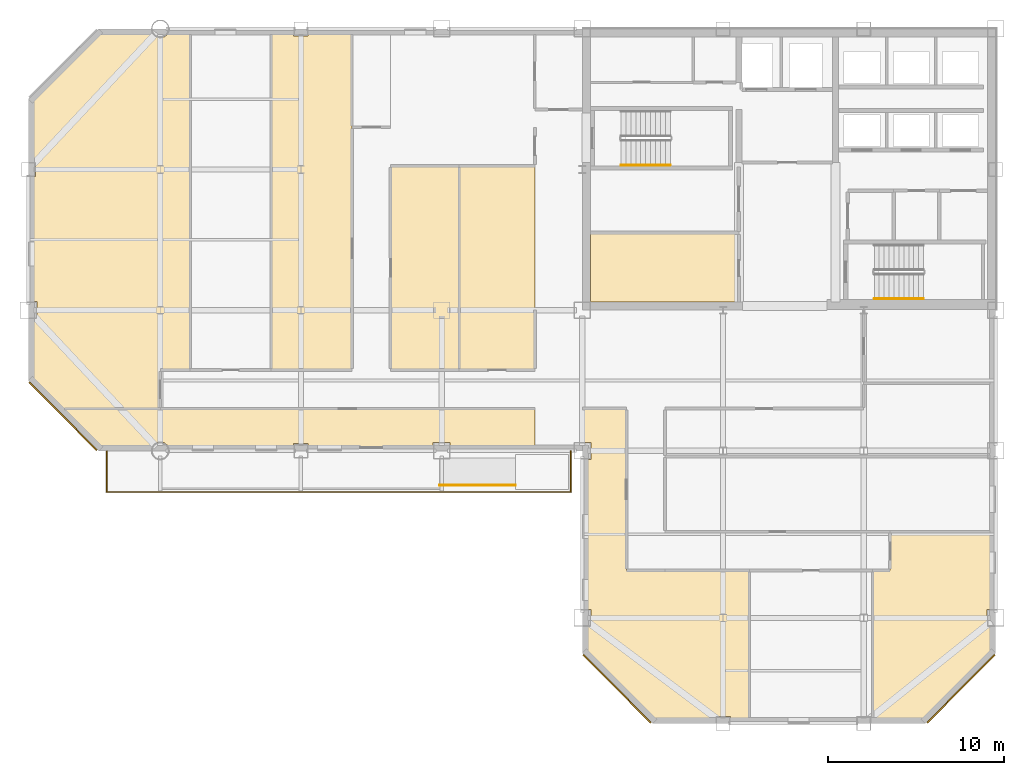
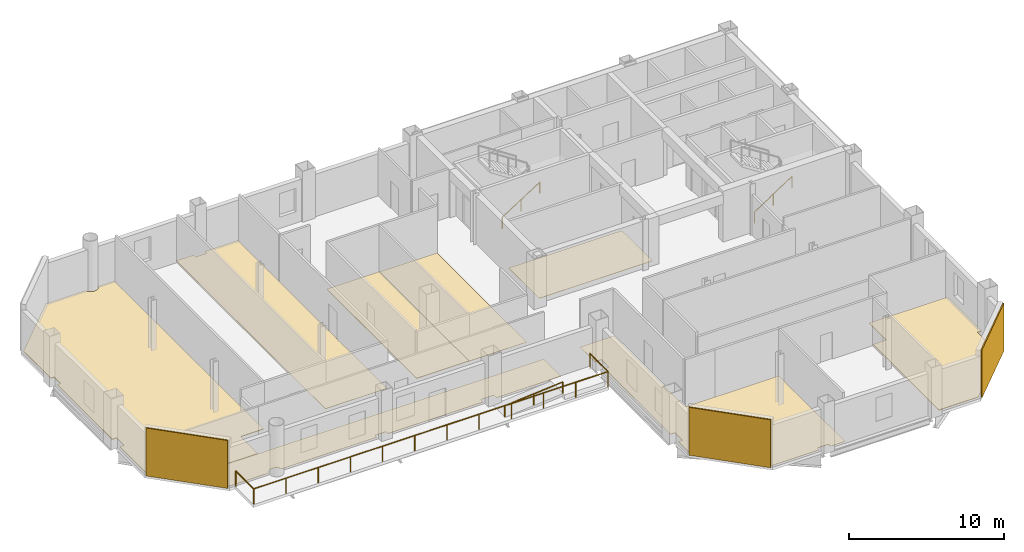
# One storey, part 8 of 11: 11 coverings, 4 railings.
"""IFC4 building model written with IfcOpenShell, lengths in metres."""

from ifc_helpers import new_model, si_unit, direction, frame, origin, origin_2d, place, context, subcontext, project, spatial, polyline, rectangle, circle, outline, extrude, material, layer, layer_set, type_object, element, save


model = new_model("IFC4")

# Units and contexts
model_context = context("Model", 3, precision=1e-05, world=origin(), true_north=direction((0.0, 1.0)))
body_context = subcontext(model_context, "Body", "Model", "MODEL_VIEW")
ifc_project = project(units=[si_unit("LENGTHUNIT", "METRE"), si_unit("AREAUNIT", "SQUARE_METRE"), si_unit("VOLUMEUNIT", "CUBIC_METRE"), si_unit("PLANEANGLEUNIT", "RADIAN"), si_unit("MASSUNIT", "GRAM", prefix="KILO")], contexts=[model_context])

# Site, building, storey
site_placement = place(None, origin())
site = spatial("IfcSite", under=ifc_project, at=site_placement, CompositionType="ELEMENT")
building_placement = place(site_placement, origin())
building = spatial("IfcBuilding", under=site, at=building_placement, Name="Qianrong Seaharbour Tower", CompositionType="ELEMENT")
storey_placement = place(building_placement, frame((0.0, 0.0, 273.800048828125)))
storey = spatial("IfcBuildingStorey", under=building, at=storey_placement, Name="L66", CompositionType="ELEMENT", Elevation=273.800048828125)

# Coverings
ifc_material_1 = material(Name="Unitised red brick cladding on Precast concrete C45/55", Category="masonry")
ifc_layer_1 = layer(ifc_material_1, 0.080078125)
ifc_layer_set_1 = layer_set([ifc_layer_1], Name="Unitised red brick cladding on Precast concrete C45/55")
covering_type_1 = type_object("IfcCoveringType", Name="COV-CLAD-RED-BRICK-80", PredefinedType="CLADDING", material=ifc_layer_set_1)
for number, where, z_axis, x_axis, name in (
    (1, (10.9716796875, 29.9716796875, 0.0), (0.0, 0.0, 1.0), (-0.707106781187, 0.707106781187, 0.0), "L66 Chamfer Corner Brick Cladding 02"),
    (2, (62.0283203125, 14.4716796875, 0.0), (0.0, 0.0, 1.0), (-0.707106781187, -0.707106781187, 0.0), "L66 Chamfer Corner Brick Cladding 07"),
    (3, (42.4716796875, 14.4716796875, 0.0), (0.0, 0.0, 1.0), (-0.707106781187, 0.707106781187, 0.0), "L66 Chamfer Corner Brick Cladding 09"),
):
    element("IfcCovering", number, at=place(storey_placement, frame(where, z_axis=z_axis, x_axis=x_axis)), inside=storey, type_object=covering_type_1, Name=name, PredefinedType="CLADDING", context=body_context, shape_type="SweptSolid", body=[
        extrude(rectangle(XDim=5.456787109375, YDim=0.080078125, at=origin_2d()), origin(), (0.0, 0.0, 1.0), 3.77490234375),
    ])
ifc_material_2 = material(Name="Acoustic modular carpet tile flooring")
ifc_layer_2 = layer(ifc_material_2, 0.02001953125)
ifc_layer_set_2 = layer_set([ifc_layer_2], Name="Acoustic modular carpet tile flooring")
covering_type_2 = type_object("IfcCoveringType", Name="COV-FLOOR-CARPET-20", PredefinedType="FLOORING", material=ifc_layer_set_2)
covering_1_placement = place(storey_placement, origin())
element("IfcCovering", 4, at=covering_1_placement, inside=storey, type_object=covering_type_2, Name="L66 Corporate Archive Room Finish Flooring", PredefinedType="FLOORING", context=body_context, shape_type="SweptSolid", body=[
    extrude(outline(polyline([(49.39990234375, 40.39990234375), (49.39990234375, 36.4599609375), (40.985107421875, 36.4599609375), (40.985107421875, 36.485107421875), (40.9599609375, 36.485107421875), (40.9599609375, 40.39990234375), (49.39990234375, 40.39990234375)])), origin(), (0.0, 0.0, 1.0), 0.02001953125),
])
covering_2_placement = place(storey_placement, origin())
element("IfcCovering", 5, at=covering_2_placement, inside=storey, type_object=covering_type_2, Name="L66 Boardroom 2 Finish Flooring", PredefinedType="FLOORING", context=body_context, shape_type="SweptSolid", body=[
    extrude(outline(polyline([(24.090087890625, 51.8349609375), (24.090087890625, 51.590087890625), (24.909912109375, 51.590087890625), (24.909912109375, 51.8349609375), (27.39990234375, 51.8349609375), (27.39990234375, 32.60009765625), (22.800048828125, 32.60009765625), (22.800048828125, 51.8349609375), (24.090087890625, 51.8349609375)])), origin(), (0.0, 0.0, 1.0), 0.02001953125),
])
covering_3_placement = place(storey_placement, origin())
element("IfcCovering", 6, at=covering_3_placement, inside=storey, type_object=covering_type_2, Name="L66 Focus Room 3 Finish Flooring", PredefinedType="FLOORING", context=body_context, shape_type="SweptSolid", body=[
    extrude(outline(polyline([(33.5, 44.199951171875), (37.800048828125, 44.199951171875), (37.800048828125, 32.60009765625), (33.5, 32.60009765625), (33.5, 44.199951171875)])), origin(), (0.0, 0.0, 1.0), 0.02001953125),
])
covering_4_placement = place(storey_placement, origin())
element("IfcCovering", 7, at=covering_4_placement, inside=storey, type_object=covering_type_2, Name="L66 Wet Pantry Finish Flooring", PredefinedType="FLOORING", context=body_context, shape_type="SweptSolid", body=[
    extrude(outline(polyline([(32.985107421875, 28.1650390625), (32.985107421875, 28.485107421875), (32.014892578125, 28.485107421875), (32.014892578125, 28.1650390625), (24.909912109375, 28.1650390625), (24.909912109375, 28.409912109375), (24.090087890625, 28.409912109375), (24.090087890625, 28.1650390625), (16.980224609375, 28.1650390625), (16.97119140625, 28.1953125), (16.924072265625, 28.283203125), (16.860595703125, 28.360595703125), (16.783203125, 28.424072265625), (16.6953125, 28.47119140625), (16.599609375, 28.500244140625), (16.5, 28.510009765625), (16.400390625, 28.500244140625), (16.3046875, 28.47119140625), (16.216796875, 28.424072265625), (16.139404296875, 28.360595703125), (16.075927734375, 28.283203125), (16.02880859375, 28.1953125), (16.019775390625, 28.1650390625), (13.068359375, 28.1650390625), (10.833251953125, 30.39990234375), (37.800048828125, 30.39990234375), (37.800048828125, 28.1650390625), (32.985107421875, 28.1650390625)])), origin(), (0.0, 0.0, 1.0), 0.02001953125),
])
covering_5_placement = place(storey_placement, origin())
element("IfcCovering", 8, at=covering_5_placement, inside=storey, type_object=covering_type_2, Name="L66 Mediation Meeting Room 1 Finish Flooring", PredefinedType="FLOORING", context=body_context, shape_type="SweptSolid", body=[
    extrude(outline(polyline([(43.0, 21.199951171875), (50.0, 21.199951171875), (50.0, 12.6650390625), (48.909912109375, 12.6650390625), (48.909912109375, 12.909912109375), (48.090087890625, 12.909912109375), (48.090087890625, 12.6650390625), (44.568359375, 12.6650390625), (40.6650390625, 16.568359375), (40.6650390625, 18.014892578125), (40.985107421875, 18.014892578125), (40.985107421875, 18.985107421875), (40.6650390625, 18.985107421875), (40.6650390625, 27.514892578125), (40.985107421875, 27.514892578125), (40.985107421875, 28.485107421875), (40.5, 28.485107421875), (40.5, 30.39990234375), (43.0, 30.39990234375), (43.0, 21.199951171875)])), origin(), (0.0, 0.0, 1.0), 0.02001953125),
])
ifc_material_3 = material(Name="Calcium-sulphate raised access floor tile")
ifc_layer_3 = layer(ifc_material_3, 0.044921875)
ifc_layer_set_3 = layer_set([ifc_layer_3], Name="Calcium-sulphate raised access floor tile")
covering_type_3 = type_object("IfcCoveringType", Name="COV-FLOOR-RAISED-45", PredefinedType="FLOORING", material=ifc_layer_set_3)
covering_6_placement = place(storey_placement, origin())
element("IfcCovering", 9, at=covering_6_placement, inside=storey, type_object=covering_type_3, Name="L66 Legal Support Open-Plan Office Finish Flooring", PredefinedType="FLOORING", context=body_context, shape_type="SweptSolid", body=[
    extrude(outline(polyline([(9.1650390625, 32.068359375), (9.1650390625, 35.514892578125), (9.485107421875, 35.514892578125), (9.485107421875, 36.485107421875), (9.1650390625, 36.485107421875), (9.1650390625, 43.590087890625), (9.409912109375, 43.590087890625), (9.409912109375, 44.409912109375), (9.1650390625, 44.409912109375), (9.1650390625, 47.931640625), (13.068359375, 51.8349609375), (16.019775390625, 51.8349609375), (16.02880859375, 51.8046875), (16.075927734375, 51.716796875), (16.139404296875, 51.639404296875), (16.216796875, 51.575927734375), (16.3046875, 51.52880859375), (16.400390625, 51.499755859375), (16.5, 51.489990234375), (16.599609375, 51.499755859375), (16.6953125, 51.52880859375), (16.783203125, 51.575927734375), (16.860595703125, 51.639404296875), (16.924072265625, 51.716796875), (16.97119140625, 51.8046875), (16.980224609375, 51.8349609375), (18.199951171875, 51.8349609375), (18.199951171875, 32.60009765625), (16.5, 32.60009765625), (16.5, 30.39990234375), (10.833251953125, 30.39990234375), (9.1650390625, 32.068359375)])), origin(), (0.0, 0.0, 1.0), 0.044921875),
])
covering_7_placement = place(storey_placement, origin())
element("IfcCovering", 10, at=covering_7_placement, inside=storey, type_object=covering_type_3, Name="L66 Partner Chambers Office 2 Finish Flooring", PredefinedType="FLOORING", context=body_context, shape_type="SweptSolid", body=[
    extrude(outline(polyline([(29.60009765625, 44.199951171875), (33.5, 44.199951171875), (33.5, 32.60009765625), (29.60009765625, 32.60009765625), (29.60009765625, 44.199951171875)])), origin(), (0.0, 0.0, 1.0), 0.044921875),
])
covering_8_placement = place(storey_placement, origin())
element("IfcCovering", 11, at=covering_8_placement, inside=storey, type_object=covering_type_3, Name="L66 Senior Partner Office 3 Finish Flooring", PredefinedType="FLOORING", context=body_context, shape_type="SweptSolid", body=[
    extrude(outline(polyline([(59.931640625, 12.6650390625), (57.0, 12.6650390625), (57.0, 21.199951171875), (58.0, 21.199951171875), (58.0, 23.39990234375), (63.8349609375, 23.39990234375), (63.8349609375, 18.985107421875), (63.514892578125, 18.985107421875), (63.514892578125, 18.014892578125), (63.8349609375, 18.014892578125), (63.8349609375, 16.568359375), (59.931640625, 12.6650390625)])), origin(), (0.0, 0.0, 1.0), 0.044921875),
])

# Railings
ifc_material_4 = material(Name="Stainless steel SUS316L tubular handrail", Category="steel")
railing_type_1 = type_object("IfcRailingType", Name="RAIL-RAMP-HANDRAIL-900", PredefinedType="HANDRAIL", material=ifc_material_4)
railing_1_placement = place(storey_placement, frame((32.3798828125, 26.050048828125, 0.0)))
element("IfcRailing", 12, at=railing_1_placement, inside=storey, type_object=railing_type_1, Name="L66 Harbourfront Ribbon Ramp Handrail", PredefinedType="HANDRAIL", context=body_context, shape_type="SweptSolid", body=[
    extrude(circle(Radius=0.02392578125, at=origin_2d()), frame((0.0, 0.0, 0.8759765625), z_axis=(0.996548476515, 0.0, 0.083012854161), x_axis=(0.0, 1.0, 0.0)), (0.0, 0.0, 1.0), 4.3349609375),
    extrude(circle(Radius=0.02099609375, at=origin_2d()), origin(), (0.0, 0.0, 1.0), 0.851806640625),
    extrude(circle(Radius=0.02099609375, at=origin_2d()), frame((2.16015625, 0.0, 0.179931640625)), (0.0, 0.0, 1.0), 0.851806640625),
    extrude(circle(Radius=0.02099609375, at=origin_2d()), frame((4.320068359375, 0.0, 0.35986328125)), (0.0, 0.0, 1.0), 0.851806640625),
])
ifc_material_5 = material(Name="Stainless steel SUS316L continuous handrail", Category="steel")
railing_type_2 = type_object("IfcRailingType", Name="RAIL-STAIR-HANDRAIL-900", PredefinedType="HANDRAIL", material=ifc_material_5)
railing_2_placement = place(storey_placement, frame((42.699951171875, 44.25, 0.181884765625)))
element("IfcRailing", 13, at=railing_2_placement, inside=storey, type_object=railing_type_2, Name="L66 ST-1 stair handrail 1", PredefinedType="HANDRAIL", context=body_context, shape_type="SweptSolid", body=[
    extrude(circle(Radius=0.02392578125, at=origin_2d()), frame((0.0, 0.0, 0.8759765625), z_axis=(0.838705829183, 0.0, 0.544584733623), x_axis=(0.0, 1.0, 0.0)), (0.0, 0.0, 1.0), 3.338623046875),
    extrude(circle(Radius=0.02099609375, at=origin_2d()), origin(), (0.0, 0.0, 1.0), 0.851806640625),
    extrude(circle(Radius=0.02099609375, at=origin_2d()), frame((1.39990234375, 0.0, 0.9091796875)), (0.0, 0.0, 1.0), 0.851806640625),
    extrude(circle(Radius=0.02099609375, at=origin_2d()), frame((2.800048828125, 0.0, 1.818115234375)), (0.0, 0.0, 1.0), 0.851806640625),
])
railing_3_placement = place(storey_placement, frame((57.10009765625, 36.64990234375, 0.181884765625)))
element("IfcRailing", 14, at=railing_3_placement, inside=storey, type_object=railing_type_2, Name="L66 ST-2 stair handrail 1", PredefinedType="HANDRAIL", context=body_context, shape_type="SweptSolid", body=[
    extrude(circle(Radius=0.02392578125, at=origin_2d()), frame((0.0, 0.0, 0.8759765625), z_axis=(0.83868413941, 0.0, 0.544618136222), x_axis=(0.0, 1.0, 0.0)), (0.0, 0.0, 1.0), 3.33837890625),
    extrude(circle(Radius=0.02099609375, at=origin_2d()), origin(), (0.0, 0.0, 1.0), 0.851806640625),
    extrude(circle(Radius=0.02099609375, at=origin_2d()), frame((1.39990234375, 0.0, 0.9091796875)), (0.0, 0.0, 1.0), 0.851806640625),
    extrude(circle(Radius=0.02099609375, at=origin_2d()), frame((2.7998046875, 0.0, 1.818115234375)), (0.0, 0.0, 1.0), 0.851806640625),
])
ifc_material_6 = material(Name="Stainless steel SUS316L and laminated safety glass balustrade", Category="steel")
railing_type_3 = type_object("IfcRailingType", Name="RAIL-TERRACE-GUARD-1220", PredefinedType="GUARDRAIL", material=ifc_material_6)
railing_4_placement = place(storey_placement, frame((13.4599609375, 27.97998046875, 0.0)))
element("IfcRailing", 15, at=railing_4_placement, inside=storey, type_object=railing_type_3, Name="L66 Harbourfront Ribbon Gallery Guardrail", PredefinedType="GUARDRAIL", context=body_context, shape_type="SweptSolid", body=[
    extrude(circle(Radius=0.02392578125, at=origin_2d()), frame((0.0, 0.0, 1.19580078125), z_axis=(0.0, -1.0, 0.0), x_axis=(1.0, 0.0, 0.0)), (0.0, 0.0, 1.0), 2.320068359375),
    extrude(circle(Radius=0.02392578125, at=origin_2d()), frame((0.0, -2.320068359375, 1.19580078125), z_axis=(1.0, 0.0, 0.0), x_axis=(0.0, 1.0, 0.0)), (0.0, 0.0, 1.0), 26.380126953125),
    extrude(circle(Radius=0.02392578125, at=origin_2d()), frame((26.380126953125, -2.320068359375, 1.19580078125), z_axis=(0.0, 1.0, 0.0), x_axis=(-1.0, 0.0, 0.0)), (0.0, 0.0, 1.0), 2.320068359375),
    extrude(circle(Radius=0.02099609375, at=origin_2d()), origin(), (0.0, 0.0, 1.0), 1.171875),
    extrude(circle(Radius=0.02099609375, at=origin_2d()), frame((0.0, -2.320068359375, 0.0)), (0.0, 0.0, 1.0), 1.171875),
    extrude(circle(Radius=0.02099609375, at=origin_2d()), frame((2.398193359375, -2.320068359375, 0.0)), (0.0, 0.0, 1.0), 1.171875),
    extrude(circle(Radius=0.02099609375, at=origin_2d()), frame((4.79638671875, -2.320068359375, 0.0)), (0.0, 0.0, 1.0), 1.171875),
    extrude(circle(Radius=0.02099609375, at=origin_2d()), frame((7.194580078125, -2.320068359375, 0.0)), (0.0, 0.0, 1.0), 1.171875),
    extrude(circle(Radius=0.02099609375, at=origin_2d()), frame((9.5927734375, -2.320068359375, 0.0)), (0.0, 0.0, 1.0), 1.171875),
    extrude(circle(Radius=0.02099609375, at=origin_2d()), frame((11.990966796875, -2.320068359375, 0.0)), (0.0, 0.0, 1.0), 1.171875),
    extrude(circle(Radius=0.02099609375, at=origin_2d()), frame((14.38916015625, -2.320068359375, 0.0)), (0.0, 0.0, 1.0), 1.171875),
    extrude(circle(Radius=0.02099609375, at=origin_2d()), frame((16.787353515625, -2.320068359375, 0.0)), (0.0, 0.0, 1.0), 1.171875),
    extrude(circle(Radius=0.02099609375, at=origin_2d()), frame((19.185546875, -2.320068359375, 0.0)), (0.0, 0.0, 1.0), 1.171875),
    extrude(circle(Radius=0.02099609375, at=origin_2d()), frame((21.583740234375, -2.320068359375, 0.0)), (0.0, 0.0, 1.0), 1.171875),
    extrude(circle(Radius=0.02099609375, at=origin_2d()), frame((23.98193359375, -2.320068359375, 0.0)), (0.0, 0.0, 1.0), 1.171875),
    extrude(circle(Radius=0.02099609375, at=origin_2d()), frame((26.380126953125, -2.320068359375, 0.0)), (0.0, 0.0, 1.0), 1.171875),
    extrude(circle(Radius=0.02099609375, at=origin_2d()), frame((26.380126953125, 0.0, 0.0)), (0.0, 0.0, 1.0), 1.171875),
])

save(model, "model.ifc")
